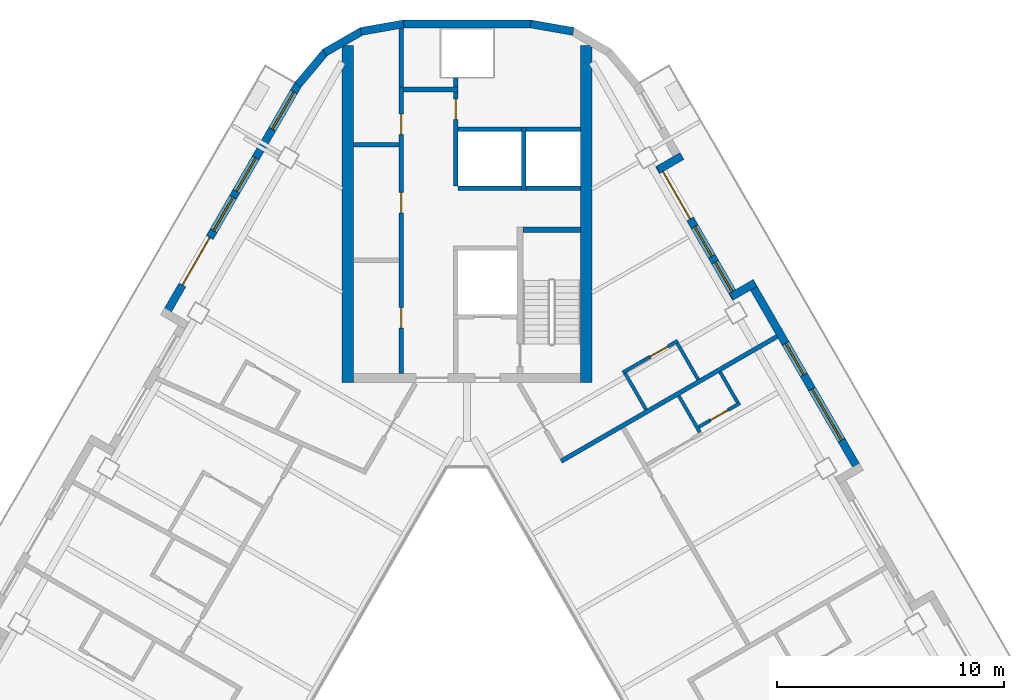
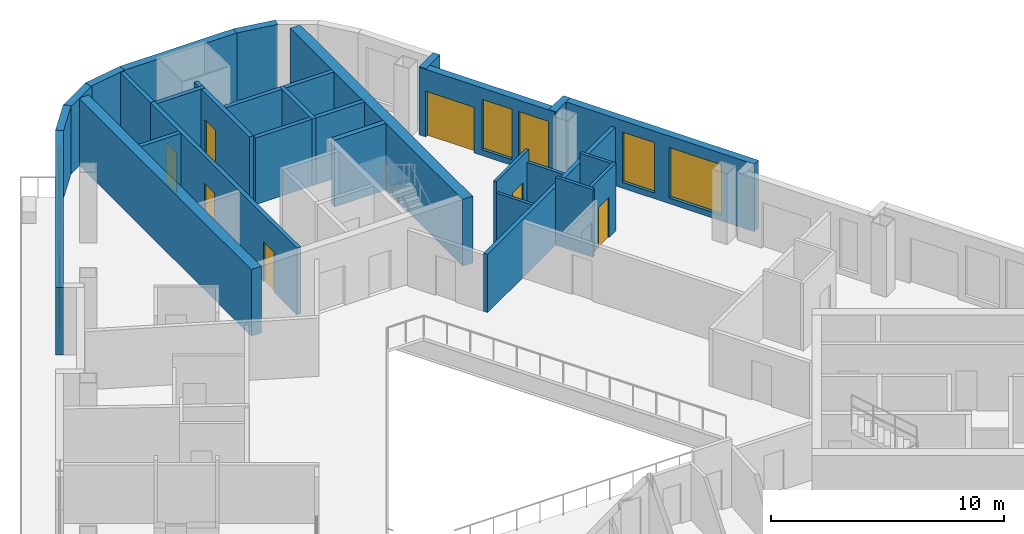
# One storey, part 7 of 14: 31 walls, 8 doors, 7 windows, 15 openings.
"""IFC4 building model written with IfcOpenShell, lengths in metres."""

from ifc_helpers import new_model, si_unit, direction, frame, frame_2d, origin, place, context, subcontext, project, spatial, rectangle, extrude, material, layer, layer_set, type_object, element, fill, save


model = new_model("IFC4")

# Units and contexts
model_context = context("Model", 3, precision=1e-05, world=origin(), true_north=direction((0.0, 1.0)))
body_context = subcontext(model_context, "Body", "Model", "MODEL_VIEW")
ifc_project = project(units=[si_unit("LENGTHUNIT", "METRE"), si_unit("AREAUNIT", "SQUARE_METRE"), si_unit("VOLUMEUNIT", "CUBIC_METRE"), si_unit("PLANEANGLEUNIT", "RADIAN"), si_unit("MASSUNIT", "GRAM", prefix="KILO")], contexts=[model_context])

# Site, building, storey
site_placement = place(None, origin())
site = spatial("IfcSite", under=ifc_project, at=site_placement, CompositionType="ELEMENT")
building_placement = place(site_placement, origin())
building = spatial("IfcBuilding", under=site, at=building_placement, Name="Apuvela Tower Hotel", CompositionType="ELEMENT")
storey_placement = place(building_placement, frame((0.0, 0.0, 216.89990234375)))
storey = spatial("IfcBuildingStorey", under=building, at=storey_placement, Name="L53", CompositionType="ELEMENT", Elevation=216.89990234375)

# Walls
ifc_material_1 = material(Name="Concrete C50/60", Category="concrete")
ifc_layer_1 = layer(ifc_material_1, 0.5)
ifc_layer_set_1 = layer_set([ifc_layer_1], Name="COR-WALL-CORE-500")
wall_type_1 = type_object("IfcWallType", Name="COR-WALL-CORE-500", PredefinedType="SHEAR", material=ifc_layer_set_1)
for number, where, z_axis, x_axis, name in (
    (1, (5.25, 12.89990234375, 0.0), (0.0, 0.0, 1.0), (0.0, 1.0, 0.0), "Core wall N"),
    (2, (-5.25, 12.89990234375, 0.0), (0.0, 0.0, 1.0), (0.0, 1.0, 0.0), "Core wall N"),
):
    element("IfcWall", number, at=place(storey_placement, frame(where, z_axis=z_axis, x_axis=x_axis)), inside=storey, type_object=wall_type_1, Name=name, PredefinedType="SHEAR", context=body_context, shape_type="SweptSolid", body=[
        extrude(rectangle(XDim=14.8369140625, YDim=0.5, at=frame_2d((7.41845703125, 0.0))), origin(), (0.0, 0.0, 1.0), 3.5),
    ])
ifc_material_2 = material(Name="Blockwork 200 mm plastered", Category="masonry")
ifc_layer_2 = layer(ifc_material_2, 0.199951171875)
ifc_layer_set_2 = layer_set([ifc_layer_2], Name="COR-WALL-PART-200")
wall_type_2 = type_object("IfcWallType", Name="COR-WALL-PART-200", PredefinedType="PARTITIONING", material=ifc_layer_set_2)
wall_1_placement = place(storey_placement, frame((5.0, 21.449951171875, 0.0), z_axis=(0.0, 0.0, 1.0), x_axis=(-1.0, 0.0, 0.0)))
element("IfcWall", 3, at=wall_1_placement, inside=storey, type_object=wall_type_2, Name="Partition N", PredefinedType="PARTITIONING", context=body_context, shape_type="SweptSolid", body=[
    extrude(rectangle(XDim=2.39990234375, YDim=0.199951171875, at=frame_2d((1.199951171875, 0.0))), origin(), (0.0, 0.0, 1.0), 3.5),
])
wall_2_placement = place(storey_placement, frame((2.39990234375, 21.449951171875, 0.0), z_axis=(0.0, 0.0, 1.0), x_axis=(-1.0, 0.0, 0.0)))
element("IfcWall", 4, at=wall_2_placement, inside=storey, type_object=wall_type_2, Name="Partition N", PredefinedType="PARTITIONING", context=body_context, shape_type="SweptSolid", body=[
    extrude(rectangle(XDim=2.7998046875, YDim=0.199951171875, at=frame_2d((1.39990234375, 0.0))), origin(), (0.0, 0.0, 1.0), 3.5),
])

# Wall, openings, doors
ifc_layer_3 = layer(ifc_material_1, 0.199951171875)
ifc_layer_set_3 = layer_set([ifc_layer_3], Name="COR-WALL-SHAFT-200")
wall_type_3 = type_object("IfcWallType", Name="COR-WALL-SHAFT-200", PredefinedType="SHEAR", material=ifc_layer_set_3)
wall_3_placement = place(storey_placement, frame((-2.89990234375, 13.300048828125, 0.0), z_axis=(0.0, 0.0, 1.0), x_axis=(0.0, 1.0, 0.0)))
wall_3 = element("IfcWall", 5, at=wall_3_placement, inside=storey, type_object=wall_type_3, Name="Shaft wall N", PredefinedType="SHEAR", context=body_context, shape_type="SweptSolid", body=[
    extrude(rectangle(XDim=12.599853515625, YDim=0.199951171875, at=frame_2d((6.2998046875, 0.0))), origin(), (0.0, 0.0, 1.0), 3.5),
])
opening_1_placement = place(wall_3_placement, frame((1.989990234375, 0.0, 0.0)))
opening_1 = element("IfcOpeningElement", 6, at=opening_1_placement, cuts=wall_3, Name="Opening N-RE1", PredefinedType="OPENING", context=body_context, shape_type="SweptSolid", body=[
    extrude(rectangle(XDim=0.89990234375, YDim=2.10009765625, at=frame_2d((0.449951171875, 1.050048828125))), frame((0.0, 0.10986328125, 0.0), z_axis=(0.0, -1.0, 0.0), x_axis=(1.0, 0.0, 0.0)), (0.0, 0.0, 1.0), 0.219970703125),
])
opening_2_placement = place(wall_3_placement, frame((7.070068359375, 0.0, 0.0)))
opening_2 = element("IfcOpeningElement", 7, at=opening_2_placement, cuts=wall_3, Name="Opening N-RE3", PredefinedType="OPENING", context=body_context, shape_type="SweptSolid", body=[
    extrude(rectangle(XDim=0.89990234375, YDim=2.10009765625, at=frame_2d((0.449951171875, 1.050048828125))), frame((0.0, 0.10986328125, 0.0), z_axis=(0.0, -1.0, 0.0), x_axis=(1.0, 0.0, 0.0)), (0.0, 0.0, 1.0), 0.219970703125),
])
opening_3_placement = place(wall_3_placement, frame((10.510009765625, 0.0, 0.0)))
opening_3 = element("IfcOpeningElement", 8, at=opening_3_placement, cuts=wall_3, Name="Opening N-REP", PredefinedType="OPENING", context=body_context, shape_type="SweptSolid", body=[
    extrude(rectangle(XDim=0.89990234375, YDim=2.10009765625, at=frame_2d((0.449951171875, 1.050048828125))), frame((0.0, 0.10986328125, 0.0), z_axis=(0.0, -1.0, 0.0), x_axis=(1.0, 0.0, 0.0)), (0.0, 0.0, 1.0), 0.219970703125),
])
ifc_material_3 = material(Name="Steel fire door, powder coated", Category="steel")
door_type_1 = type_object("IfcDoorType", Name="COR-DR-900", OperationType="NOTDEFINED", PredefinedType="DOOR", material=ifc_material_3)
door_1_placement = place(opening_1_placement, origin())
door_1 = element("IfcDoor", 9, at=door_1_placement, inside=storey, type_object=door_type_1, Name="Store door N-RE1", OperationType="SINGLE_SWING_LEFT", OverallHeight=2.10009765625, OverallWidth=0.89990234375, PredefinedType="DOOR", context=body_context, shape_type="SweptSolid", body=[
    extrude(rectangle(XDim=0.89990234375, YDim=2.10009765625, at=frame_2d((0.449951171875, 1.050048828125))), frame((0.0, 0.02490234375, 0.0), z_axis=(0.0, -1.0, 0.0), x_axis=(1.0, 0.0, 0.0)), (0.0, 0.0, 1.0), 0.050048828125),
])
fill(opening_1, door_1)
door_2_placement = place(opening_2_placement, origin())
door_2 = element("IfcDoor", 10, at=door_2_placement, inside=storey, type_object=door_type_1, Name="Store door N-RE3", OperationType="SINGLE_SWING_LEFT", OverallHeight=2.10009765625, OverallWidth=0.89990234375, PredefinedType="DOOR", context=body_context, shape_type="SweptSolid", body=[
    extrude(rectangle(XDim=0.89990234375, YDim=2.10009765625, at=frame_2d((0.449951171875, 1.050048828125))), frame((0.0, 0.02490234375, 0.0), z_axis=(0.0, -1.0, 0.0), x_axis=(1.0, 0.0, 0.0)), (0.0, 0.0, 1.0), 0.050048828125),
])
fill(opening_2, door_2)
door_3_placement = place(opening_3_placement, origin())
door_3 = element("IfcDoor", 11, at=door_3_placement, inside=storey, type_object=door_type_1, Name="Store door N-REP", OperationType="SINGLE_SWING_RIGHT", OverallHeight=2.10009765625, OverallWidth=0.89990234375, PredefinedType="DOOR", context=body_context, shape_type="SweptSolid", body=[
    extrude(rectangle(XDim=0.89990234375, YDim=2.10009765625, at=frame_2d((0.449951171875, 1.050048828125))), frame((0.0, 0.02490234375, 0.0), z_axis=(0.0, -1.0, 0.0), x_axis=(1.0, 0.0, 0.0)), (0.0, 0.0, 1.0), 0.050048828125),
])
fill(opening_3, door_3)

# Wall
wall_4_placement = place(storey_placement, frame((-0.39990234375, 25.800048828125, 0.0), z_axis=(0.0, 0.0, 1.0), x_axis=(-1.0, 0.0, 0.0)))
element("IfcWall", 12, at=wall_4_placement, inside=storey, type_object=wall_type_3, Name="Shaft wall N", PredefinedType="SHEAR", context=body_context, shape_type="SweptSolid", body=[
    extrude(rectangle(XDim=2.400146484375, YDim=0.199951171875, at=frame_2d((1.2001953125, 0.0))), origin(), (0.0, 0.0, 1.0), 3.5),
])

# Wall, opening, door
wall_5_placement = place(storey_placement, frame((-0.5, 21.550048828125, 0.0), z_axis=(0.0, 0.0, 1.0), x_axis=(0.0, 1.0, 0.0)))
wall_5 = element("IfcWall", 13, at=wall_5_placement, inside=storey, type_object=wall_type_3, Name="Shaft wall N", PredefinedType="SHEAR", context=body_context, shape_type="SweptSolid", body=[
    extrude(rectangle(XDim=4.14990234375, YDim=0.199951171875, at=frame_2d((2.074951171875, 0.0))), origin(), (0.0, 0.0, 1.0), 3.5),
])
opening_4_placement = place(wall_5_placement, frame((2.925048828125, 0.0, 0.0)))
opening_4 = element("IfcOpeningElement", 14, at=opening_4_placement, cuts=wall_5, Name="Opening N-RSP", PredefinedType="OPENING", context=body_context, shape_type="SweptSolid", body=[
    extrude(rectangle(XDim=0.89990234375, YDim=2.10009765625, at=frame_2d((0.449951171875, 1.050048828125))), frame((0.0, 0.10986328125, 0.0), z_axis=(0.0, -1.0, 0.0), x_axis=(1.0, 0.0, 0.0)), (0.0, 0.0, 1.0), 0.219970703125),
])
door_4_placement = place(opening_4_placement, frame((0.89990234375, 0.0, 0.0), z_axis=(0.0, 0.0, 1.0), x_axis=(-1.0, 0.0, 0.0)))
door_4 = element("IfcDoor", 15, at=door_4_placement, inside=storey, type_object=door_type_1, Name="Store door N-RSP", OperationType="SINGLE_SWING_LEFT", OverallHeight=2.10009765625, OverallWidth=0.89990234375, PredefinedType="DOOR", context=body_context, shape_type="SweptSolid", body=[
    extrude(rectangle(XDim=0.89990234375, YDim=2.10009765625, at=frame_2d((0.449951171875, 1.050048828125))), frame((0.0, 0.02490234375, 0.0), z_axis=(0.0, -1.0, 0.0), x_axis=(1.0, 0.0, 0.0)), (0.0, 0.0, 1.0), 0.050048828125),
])
fill(opening_4, door_4)

# Walls
wall_6_placement = place(storey_placement, frame((-3.0, 23.360107421875, 0.0), z_axis=(0.0, 0.0, 1.0), x_axis=(-1.0, 0.0, 0.0)))
element("IfcWall", 16, at=wall_6_placement, inside=storey, type_object=wall_type_3, Name="Shaft wall N", PredefinedType="SHEAR", context=body_context, shape_type="SweptSolid", body=[
    extrude(rectangle(XDim=2.0, YDim=0.199951171875, at=frame_2d((1.0, 0.0))), origin(), (0.0, 0.0, 1.0), 3.5),
])
wall_7_placement = place(storey_placement, frame((-0.5, 25.89990234375, 0.0), z_axis=(0.0, 0.0, 1.0), x_axis=(0.0, 1.0, 0.0)))
element("IfcWall", 17, at=wall_7_placement, inside=storey, type_object=wall_type_3, Name="Shaft wall N", PredefinedType="SHEAR", context=body_context, shape_type="SweptSolid", body=[
    extrude(rectangle(XDim=0.400146484375, YDim=0.199951171875, at=frame_2d((0.2001953125, 0.0))), origin(), (0.0, 0.0, 1.0), 3.5),
])
wall_8_placement = place(storey_placement, frame((-2.89990234375, 25.89990234375, 0.0), z_axis=(0.0, 0.0, 1.0), x_axis=(0.0, 1.0, 0.0)))
element("IfcWall", 18, at=wall_8_placement, inside=storey, type_object=wall_type_3, Name="Shaft wall N", PredefinedType="SHEAR", context=body_context, shape_type="SweptSolid", body=[
    extrude(rectangle(XDim=2.60009765625, YDim=0.199951171875, at=frame_2d((1.300048828125, 0.0))), origin(), (0.0, 0.0, 1.0), 3.5),
])
wall_9_placement = place(storey_placement, frame((2.5, 21.35009765625, 0.0), z_axis=(0.0, 0.0, 1.0), x_axis=(0.0, 1.0, 0.0)))
element("IfcWall", 19, at=wall_9_placement, inside=storey, type_object=wall_type_3, Name="Shaft wall N", PredefinedType="SHEAR", context=body_context, shape_type="SweptSolid", body=[
    extrude(rectangle(XDim=2.7998046875, YDim=0.199951171875, at=frame_2d((1.39990234375, 0.0))), origin(), (0.0, 0.0, 1.0), 3.5),
])
wall_10_placement = place(storey_placement, frame((5.0, 24.050048828125, 0.0), z_axis=(0.0, 0.0, 1.0), x_axis=(-1.0, 0.0, 0.0)))
element("IfcWall", 20, at=wall_10_placement, inside=storey, type_object=wall_type_3, Name="Shaft wall N", PredefinedType="SHEAR", context=body_context, shape_type="SweptSolid", body=[
    extrude(rectangle(XDim=2.39990234375, YDim=0.199951171875, at=frame_2d((1.199951171875, 0.0))), origin(), (0.0, 0.0, 1.0), 3.5),
])
wall_11_placement = place(storey_placement, frame((2.39990234375, 24.050048828125, 0.0), z_axis=(0.0, 0.0, 1.0), x_axis=(-1.0, 0.0, 0.0)))
element("IfcWall", 21, at=wall_11_placement, inside=storey, type_object=wall_type_3, Name="Shaft wall N", PredefinedType="SHEAR", context=body_context, shape_type="SweptSolid", body=[
    extrude(rectangle(XDim=2.7998046875, YDim=0.199951171875, at=frame_2d((1.39990234375, 0.0))), origin(), (0.0, 0.0, 1.0), 3.5),
])
ifc_layer_4 = layer(ifc_material_1, 0.25)
ifc_layer_set_4 = layer_set([ifc_layer_4], Name="COR-WALL-STAIR-250")
wall_type_4 = type_object("IfcWallType", Name="COR-WALL-STAIR-250", PredefinedType="SHEAR", material=ifc_layer_set_4)
wall_12_placement = place(storey_placement, frame((5.0, 19.625, 0.0), z_axis=(0.0, 0.0, 1.0), x_axis=(-1.0, 0.0, 0.0)))
element("IfcWall", 22, at=wall_12_placement, inside=storey, type_object=wall_type_4, Name="Stair wall N", PredefinedType="SHEAR", context=body_context, shape_type="SweptSolid", body=[
    extrude(rectangle(XDim=2.550048828125, YDim=0.25, at=frame_2d((1.27490234375, 0.0))), origin(), (0.0, 0.0, 1.0), 3.5),
])

# Wall, openings, door, windows
ifc_material_4 = material(Name="Concrete C40/50, dark pigmented precast panel", Category="concrete")
ifc_layer_5 = layer(ifc_material_4, 0.35009765625)
ifc_layer_set_5 = layer_set([ifc_layer_5], Name="ENV-WALL-350")
wall_type_5 = type_object("IfcWallType", Name="ENV-WALL-350", PredefinedType="SOLIDWALL", material=ifc_layer_set_5)
wall_13_placement = place(storey_placement, frame((-7.440673828125, 26.0224609375, 0.0), z_axis=(0.0, 0.0, 1.0), x_axis=(-0.499992533062, -0.86602971478, 0.0)))
wall_13 = element("IfcWall", 23, at=wall_13_placement, inside=storey, type_object=wall_type_5, Name="External wall L53-01", PredefinedType="SOLIDWALL", context=body_context, shape_type="SweptSolid", body=[
    extrude(rectangle(XDim=11.815673828125, YDim=0.35009765625, at=frame_2d((5.90771484375, 0.0))), origin(), (0.0, 0.0, 1.0), 3.550048828125),
])
opening_5_placement = place(wall_13_placement, frame((0.381103515625, 0.0, 0.300048828125)))
opening_5 = element("IfcOpeningElement", 24, at=opening_5_placement, cuts=wall_13, Name="Opening WN19", PredefinedType="OPENING", context=body_context, shape_type="SweptSolid", body=[
    extrude(rectangle(XDim=1.89990234375, YDim=2.64990234375, at=frame_2d((0.949951171875, 1.324951171875))), frame((0.0, 0.18505859375, 0.0), z_axis=(0.0, -1.0, 0.0), x_axis=(1.0, 0.0, 0.0)), (0.0, 0.0, 1.0), 0.3701171875),
])
opening_6_placement = place(wall_13_placement, frame((7.79052734375, 0.0, 0.0)))
opening_6 = element("IfcOpeningElement", 25, at=opening_6_placement, cuts=wall_13, Name="Opening BD24", PredefinedType="OPENING", context=body_context, shape_type="SweptSolid", body=[
    extrude(rectangle(XDim=2.39990234375, YDim=2.39990234375, at=frame_2d((1.199951171875, 1.199951171875))), frame((0.0, 0.18505859375, 0.0), z_axis=(0.0, -1.0, 0.0), x_axis=(1.0, 0.0, 0.0)), (0.0, 0.0, 1.0), 0.3701171875),
])
opening_7_placement = place(wall_13_placement, frame((3.7412109375, 0.0, 0.300048828125)))
opening_7 = element("IfcOpeningElement", 26, at=opening_7_placement, cuts=wall_13, Name="Opening WN17", PredefinedType="OPENING", context=body_context, shape_type="SweptSolid", body=[
    extrude(rectangle(XDim=1.699951171875, YDim=2.64990234375, at=frame_2d((0.85009765625, 1.324951171875))), frame((0.0, 0.18505859375, 0.0), z_axis=(0.0, -1.0, 0.0), x_axis=(1.0, 0.0, 0.0)), (0.0, 0.0, 1.0), 0.3701171875),
])
opening_8_placement = place(wall_13_placement, frame((5.7412109375, 0.0, 0.300048828125)))
opening_8 = element("IfcOpeningElement", 27, at=opening_8_placement, cuts=wall_13, Name="Opening WN17", PredefinedType="OPENING", context=body_context, shape_type="SweptSolid", body=[
    extrude(rectangle(XDim=1.699951171875, YDim=2.64990234375, at=frame_2d((0.85009765625, 1.324951171875))), frame((0.0, 0.18505859375, 0.0), z_axis=(0.0, -1.0, 0.0), x_axis=(1.0, 0.0, 0.0)), (0.0, 0.0, 1.0), 0.3701171875),
])
ifc_material_5 = material(Name="Aluminium 6063-T6, dark bronze anodised frame with dark tinted laminated glass", Category="aluminium")
door_type_2 = type_object("IfcDoorType", Name="ENV-DOOR-BALCONY-2400x2400", OperationType="SLIDING_TO_LEFT", PredefinedType="DOOR", material=ifc_material_5)
door_5_placement = place(opening_6_placement, frame((2.39990234375, 0.0, 0.0), z_axis=(0.0, 0.0, 1.0), x_axis=(-1.0, 0.0, 0.0)))
door_5 = element("IfcDoor", 28, at=door_5_placement, inside=storey, type_object=door_type_2, Name="Balcony door BD24", OperationType="SLIDING_TO_LEFT", OverallHeight=2.39990234375, OverallWidth=2.39990234375, PredefinedType="DOOR", context=body_context, shape_type="SweptSolid", body=[
    extrude(rectangle(XDim=2.39990234375, YDim=2.39990234375, at=frame_2d((1.199951171875, 1.199951171875))), frame((0.0, 0.02490234375, 0.0), z_axis=(0.0, -1.0, 0.0), x_axis=(1.0, 0.0, 0.0)), (0.0, 0.0, 1.0), 0.050048828125),
])
fill(opening_6, door_5)
ifc_material_6 = material(Name="Glass, dark tinted laminated insulated glazing unit", Category="glass")
window_type_1 = type_object("IfcWindowType", Name="ENV-WIN-1700x2650", PartitioningType="SINGLE_PANEL", PredefinedType="WINDOW", material=ifc_material_6)
window_1_placement = place(opening_7_placement, origin())
window_1 = element("IfcWindow", 29, at=window_1_placement, inside=storey, type_object=window_type_1, Name="Window WN17", OverallHeight=2.64990234375, OverallWidth=1.699951171875, PartitioningType="SINGLE_PANEL", PredefinedType="WINDOW", context=body_context, shape_type="SweptSolid", body=[
    extrude(rectangle(XDim=1.699951171875, YDim=2.64990234375, at=frame_2d((0.85009765625, 1.324951171875))), frame((0.0, 0.030029296875, 0.0), z_axis=(0.0, -1.0, 0.0), x_axis=(1.0, 0.0, 0.0)), (0.0, 0.0, 1.0), 0.06005859375),
])
fill(opening_7, window_1)
window_2_placement = place(opening_8_placement, origin())
window_2 = element("IfcWindow", 30, at=window_2_placement, inside=storey, type_object=window_type_1, Name="Window WN17", OverallHeight=2.64990234375, OverallWidth=1.699951171875, PartitioningType="SINGLE_PANEL", PredefinedType="WINDOW", context=body_context, shape_type="SweptSolid", body=[
    extrude(rectangle(XDim=1.699951171875, YDim=2.64990234375, at=frame_2d((0.85009765625, 1.324951171875))), frame((0.0, 0.030029296875, 0.0), z_axis=(0.0, -1.0, 0.0), x_axis=(1.0, 0.0, 0.0)), (0.0, 0.0, 1.0), 0.06005859375),
])
fill(opening_8, window_2)
window_type_2 = type_object("IfcWindowType", Name="ENV-WIN-1900x2650", PartitioningType="SINGLE_PANEL", PredefinedType="WINDOW", material=ifc_material_6)
window_3_placement = place(opening_5_placement, origin())
window_3 = element("IfcWindow", 31, at=window_3_placement, inside=storey, type_object=window_type_2, Name="Window WN19", OverallHeight=2.64990234375, OverallWidth=1.89990234375, PartitioningType="SINGLE_PANEL", PredefinedType="WINDOW", context=body_context, shape_type="SweptSolid", body=[
    extrude(rectangle(XDim=1.89990234375, YDim=2.64990234375, at=frame_2d((0.949951171875, 1.324951171875))), frame((0.0, 0.030029296875, 0.0), z_axis=(0.0, -1.0, 0.0), x_axis=(1.0, 0.0, 0.0)), (0.0, 0.0, 1.0), 0.06005859375),
])
fill(opening_5, window_3)

# Wall, openings, windows
wall_14_placement = place(storey_placement, frame((17.298583984375, 8.947998046875, 0.0), z_axis=(0.0, 0.0, 1.0), x_axis=(-0.500010041276, 0.866019606374, 0.0)))
wall_14 = element("IfcWall", 32, at=wall_14_placement, inside=storey, type_object=wall_type_5, Name="External wall L53-37", PredefinedType="SOLIDWALL", context=body_context, shape_type="SweptSolid", body=[
    extrude(rectangle(XDim=9.699951171875, YDim=0.35009765625, at=frame_2d((4.85009765625, 0.0))), origin(), (0.0, 0.0, 1.0), 3.550048828125),
])
opening_9_placement = place(wall_14_placement, frame((1.625, 0.0, 0.300048828125)))
opening_9 = element("IfcOpeningElement", 33, at=opening_9_placement, cuts=wall_14, Name="Opening WN26", PredefinedType="OPENING", context=body_context, shape_type="SweptSolid", body=[
    extrude(rectangle(XDim=2.60009765625, YDim=2.64990234375, at=frame_2d((1.300048828125, 1.324951171875))), frame((0.0, 0.18505859375, 0.0), z_axis=(0.0, -1.0, 0.0), x_axis=(1.0, 0.0, 0.0)), (0.0, 0.0, 1.0), 0.3701171875),
])
opening_10_placement = place(wall_14_placement, frame((4.94921875, 0.0, 0.300048828125)))
opening_10 = element("IfcOpeningElement", 34, at=opening_10_placement, cuts=wall_14, Name="Opening WN16", PredefinedType="OPENING", context=body_context, shape_type="SweptSolid", body=[
    extrude(rectangle(XDim=1.60009765625, YDim=2.64990234375, at=frame_2d((0.800048828125, 1.324951171875))), frame((0.0, 0.18505859375, 0.0), z_axis=(0.0, -1.0, 0.0), x_axis=(1.0, 0.0, 0.0)), (0.0, 0.0, 1.0), 0.3701171875),
])
window_type_3 = type_object("IfcWindowType", Name="ENV-WIN-1600x2650", PartitioningType="SINGLE_PANEL", PredefinedType="WINDOW", material=ifc_material_6)
window_4_placement = place(opening_10_placement, origin())
window_4 = element("IfcWindow", 35, at=window_4_placement, inside=storey, type_object=window_type_3, Name="Window WN16", OverallHeight=2.64990234375, OverallWidth=1.60009765625, PartitioningType="SINGLE_PANEL", PredefinedType="WINDOW", context=body_context, shape_type="SweptSolid", body=[
    extrude(rectangle(XDim=1.60009765625, YDim=2.64990234375, at=frame_2d((0.800048828125, 1.324951171875))), frame((0.0, 0.030029296875, 0.0), z_axis=(0.0, -1.0, 0.0), x_axis=(1.0, 0.0, 0.0)), (0.0, 0.0, 1.0), 0.06005859375),
])
fill(opening_10, window_4)
window_type_4 = type_object("IfcWindowType", Name="ENV-WIN-2600x2650", PartitioningType="SINGLE_PANEL", PredefinedType="WINDOW", material=ifc_material_6)
window_5_placement = place(opening_9_placement, origin())
window_5 = element("IfcWindow", 36, at=window_5_placement, inside=storey, type_object=window_type_4, Name="Window WN26", OverallHeight=2.64990234375, OverallWidth=2.60009765625, PartitioningType="SINGLE_PANEL", PredefinedType="WINDOW", context=body_context, shape_type="SweptSolid", body=[
    extrude(rectangle(XDim=2.60009765625, YDim=2.64990234375, at=frame_2d((1.300048828125, 1.324951171875))), frame((0.0, 0.030029296875, 0.0), z_axis=(0.0, -1.0, 0.0), x_axis=(1.0, 0.0, 0.0)), (0.0, 0.0, 1.0), 0.06005859375),
])
fill(opening_9, window_5)

# Wall
wall_15_placement = place(storey_placement, frame((12.6875, 17.284423828125, 0.0), z_axis=(0.0, 0.0, 1.0), x_axis=(-0.865955602162, -0.500120880472, 0.0)))
element("IfcWall", 37, at=wall_15_placement, inside=storey, type_object=wall_type_5, Name="External wall L53-38", PredefinedType="SOLIDWALL", context=body_context, shape_type="SweptSolid", body=[
    extrude(rectangle(XDim=1.219970703125, YDim=0.35009765625, at=frame_2d((0.60986328125, 0.0))), origin(), (0.0, 0.0, 1.0), 3.550048828125),
])

# Wall, openings, door, windows
wall_16_placement = place(storey_placement, frame((11.8291015625, 16.621337890625, 0.0), z_axis=(0.0, 0.0, 1.0), x_axis=(-0.500003597184, 0.866023326939, 0.0)))
wall_16 = element("IfcWall", 38, at=wall_16_placement, inside=storey, type_object=wall_type_5, Name="External wall L53-39", PredefinedType="SOLIDWALL", context=body_context, shape_type="SweptSolid", body=[
    extrude(rectangle(XDim=6.740234375, YDim=0.35009765625, at=frame_2d((3.3701171875, 0.0))), origin(), (0.0, 0.0, 1.0), 3.550048828125),
])
opening_11_placement = place(wall_16_placement, frame((4.01953125, 0.0, 0.0)))
opening_11 = element("IfcOpeningElement", 39, at=opening_11_placement, cuts=wall_16, Name="Opening BD24", PredefinedType="OPENING", context=body_context, shape_type="SweptSolid", body=[
    extrude(rectangle(XDim=2.39990234375, YDim=2.39990234375, at=frame_2d((1.199951171875, 1.199951171875))), frame((0.0, 0.18505859375, 0.0), z_axis=(0.0, -1.0, 0.0), x_axis=(1.0, 0.0, 0.0)), (0.0, 0.0, 1.0), 0.3701171875),
])
opening_12_placement = place(wall_16_placement, frame((0.320068359375, 0.0, 0.300048828125)))
opening_12 = element("IfcOpeningElement", 40, at=opening_12_placement, cuts=wall_16, Name="Opening WN15", PredefinedType="OPENING", context=body_context, shape_type="SweptSolid", body=[
    extrude(rectangle(XDim=1.5, YDim=2.64990234375, at=frame_2d((0.75, 1.324951171875))), frame((0.0, 0.18505859375, 0.0), z_axis=(0.0, -1.0, 0.0), x_axis=(1.0, 0.0, 0.0)), (0.0, 0.0, 1.0), 0.3701171875),
])
opening_13_placement = place(wall_16_placement, frame((2.1201171875, 0.0, 0.300048828125)))
opening_13 = element("IfcOpeningElement", 41, at=opening_13_placement, cuts=wall_16, Name="Opening WN15", PredefinedType="OPENING", context=body_context, shape_type="SweptSolid", body=[
    extrude(rectangle(XDim=1.5, YDim=2.64990234375, at=frame_2d((0.75, 1.324951171875))), frame((0.0, 0.18505859375, 0.0), z_axis=(0.0, -1.0, 0.0), x_axis=(1.0, 0.0, 0.0)), (0.0, 0.0, 1.0), 0.3701171875),
])
door_6_placement = place(opening_11_placement, frame((2.39990234375, 0.0, 0.0), z_axis=(0.0, 0.0, 1.0), x_axis=(-1.0, 0.0, 0.0)))
door_6 = element("IfcDoor", 42, at=door_6_placement, inside=storey, type_object=door_type_2, Name="Balcony door BD24", OperationType="SLIDING_TO_LEFT", OverallHeight=2.39990234375, OverallWidth=2.39990234375, PredefinedType="DOOR", context=body_context, shape_type="SweptSolid", body=[
    extrude(rectangle(XDim=2.39990234375, YDim=2.39990234375, at=frame_2d((1.199951171875, 1.199951171875))), frame((0.0, 0.02490234375, 0.0), z_axis=(0.0, -1.0, 0.0), x_axis=(1.0, 0.0, 0.0)), (0.0, 0.0, 1.0), 0.050048828125),
])
fill(opening_11, door_6)
window_type_5 = type_object("IfcWindowType", Name="ENV-WIN-1500x2650", PartitioningType="SINGLE_PANEL", PredefinedType="WINDOW", material=ifc_material_6)
window_6_placement = place(opening_12_placement, origin())
window_6 = element("IfcWindow", 43, at=window_6_placement, inside=storey, type_object=window_type_5, Name="Window WN15", OverallHeight=2.64990234375, OverallWidth=1.5, PartitioningType="SINGLE_PANEL", PredefinedType="WINDOW", context=body_context, shape_type="SweptSolid", body=[
    extrude(rectangle(XDim=1.5, YDim=2.64990234375, at=frame_2d((0.75, 1.324951171875))), frame((0.0, 0.030029296875, 0.0), z_axis=(0.0, -1.0, 0.0), x_axis=(1.0, 0.0, 0.0)), (0.0, 0.0, 1.0), 0.06005859375),
])
fill(opening_12, window_6)
window_7_placement = place(opening_13_placement, origin())
window_7 = element("IfcWindow", 44, at=window_7_placement, inside=storey, type_object=window_type_5, Name="Window WN15", OverallHeight=2.64990234375, OverallWidth=1.5, PartitioningType="SINGLE_PANEL", PredefinedType="WINDOW", context=body_context, shape_type="SweptSolid", body=[
    extrude(rectangle(XDim=1.5, YDim=2.64990234375, at=frame_2d((0.75, 1.324951171875))), frame((0.0, 0.030029296875, 0.0), z_axis=(0.0, -1.0, 0.0), x_axis=(1.0, 0.0, 0.0)), (0.0, 0.0, 1.0), 0.06005859375),
])
fill(opening_13, window_7)

# Walls
wall_17_placement = place(storey_placement, frame((8.406005859375, 22.26025390625, 0.0), z_axis=(0.0, 0.0, 1.0), x_axis=(0.865955602162, 0.500120880472, 0.0)))
element("IfcWall", 45, at=wall_17_placement, inside=storey, type_object=wall_type_5, Name="External wall L53-40", PredefinedType="SOLIDWALL", context=body_context, shape_type="SweptSolid", body=[
    extrude(rectangle(XDim=1.219970703125, YDim=0.35009765625, at=frame_2d((0.60986328125, 0.0))), origin(), (0.0, 0.0, 1.0), 3.550048828125),
])
wall_18_placement = place(storey_placement, frame((4.6796875, 28.35595703125, 0.0), z_axis=(0.0, 0.0, 1.0), x_axis=(-0.984798995425, 0.173697837091, 0.0)))
element("IfcWall", 46, at=wall_18_placement, inside=storey, type_object=wall_type_5, Name="External wall L53-44", PredefinedType="SOLIDWALL", context=body_context, shape_type="SweptSolid", body=[
    extrude(rectangle(XDim=1.91015625, YDim=0.35009765625, at=frame_2d((0.955078125, 0.0))), origin(), (0.0, 0.0, 1.0), 3.550048828125),
])
wall_19_placement = place(storey_placement, frame((2.8291015625, 28.68505859375, 0.0), z_axis=(0.0, 0.0, 1.0), x_axis=(-1.0, 0.0, 0.0)))
element("IfcWall", 47, at=wall_19_placement, inside=storey, type_object=wall_type_5, Name="External wall L53-45", PredefinedType="SOLIDWALL", context=body_context, shape_type="SweptSolid", body=[
    extrude(rectangle(XDim=5.658203125, YDim=0.35009765625, at=frame_2d((2.8291015625, 0.0))), origin(), (0.0, 0.0, 1.0), 3.550048828125),
])
for number, where, z_axis, x_axis, name in (
    (48, (-2.798583984375, 28.687744140625, 0.0), (0.0, 0.0, 1.0), (-0.984798995425, -0.173697837091, 0.0), "External wall L53-46"),
    (49, (-4.62255859375, 28.376708984375, 0.0), (0.0, 0.0, 1.0), (-0.866032345022, -0.499987977232, 0.0), "External wall L53-47"),
):
    element("IfcWall", number, at=place(storey_placement, frame(where, z_axis=z_axis, x_axis=x_axis)), inside=storey, type_object=wall_type_5, Name=name, PredefinedType="SOLIDWALL", context=body_context, shape_type="SweptSolid", body=[
        extrude(rectangle(XDim=1.91015625, YDim=0.35009765625, at=frame_2d((0.955078125, 0.0))), origin(), (0.0, 0.0, 1.0), 3.550048828125),
    ])
wall_20_placement = place(storey_placement, frame((-6.230224609375, 27.460693359375, 0.0), z_axis=(0.0, 0.0, 1.0), x_axis=(-0.642808304945, -0.766027077259, 0.0)))
element("IfcWall", 50, at=wall_20_placement, inside=storey, type_object=wall_type_5, Name="External wall L53-48", PredefinedType="SOLIDWALL", context=body_context, shape_type="SweptSolid", body=[
    extrude(rectangle(XDim=1.909912109375, YDim=0.35009765625, at=frame_2d((0.955078125, 0.0))), origin(), (0.0, 0.0, 1.0), 3.550048828125),
])
ifc_material_7 = material(Name="Gypsum board partition on twin steel stud", Category="steel")
ifc_layer_6 = layer(ifc_material_7, 0.199951171875)
ifc_layer_set_6 = layer_set([ifc_layer_6], Name="GST-PW1")
wall_type_6 = type_object("IfcWallType", Name="GST-PW1", PredefinedType="PARTITIONING", material=ifc_layer_set_6)
wall_21_placement = place(storey_placement, frame((13.64697265625, 14.9228515625, 0.0), z_axis=(0.0, 0.0, 1.0), x_axis=(-0.866027479907, -0.499996404033, 0.0)))
element("IfcWall", 51, at=wall_21_placement, inside=storey, type_object=wall_type_6, Name="L53 partition 06", PredefinedType="PARTITIONING", context=body_context, shape_type="SweptSolid", body=[
    extrude(rectangle(XDim=10.97998046875, YDim=0.199951171875, at=frame_2d((5.489990234375, 0.0))), origin(), (0.0, 0.0, 1.0), 3.06005859375),
])
ifc_material_8 = material(Name="Moisture-resistant gypsum board wet wall on steel stud", Category="steel")
ifc_layer_7 = layer(ifc_material_8, 0.14990234375)
ifc_layer_set_7 = layer_set([ifc_layer_7], Name="GST-PW3")
wall_type_7 = type_object("IfcWallType", Name="GST-PW3", PredefinedType="PARTITIONING", material=ifc_layer_set_7)
wall_22_placement = place(storey_placement, frame((10.244140625, 10.70654296875, 0.0), z_axis=(0.0, 0.0, 1.0), x_axis=(-0.500042316284, 0.866000971088, 0.0)))
element("IfcWall", 52, at=wall_22_placement, inside=storey, type_object=wall_type_7, Name="L53 partition 33", PredefinedType="PARTITIONING", context=body_context, shape_type="SweptSolid", body=[
    extrude(rectangle(XDim=1.849853515625, YDim=0.14990234375, at=frame_2d((0.9248046875, 0.0))), origin(), (0.0, 0.0, 1.0), 3.550048828125),
])

# Wall, opening, door
wall_23_placement = place(storey_placement, frame((10.19677734375, 10.93896484375, 0.0), z_axis=(0.0, 0.0, 1.0), x_axis=(0.866009402589, 0.500027713859, 0.0)))
wall_23 = element("IfcWall", 53, at=wall_23_placement, inside=storey, type_object=wall_type_7, Name="L53 partition 34", PredefinedType="PARTITIONING", context=body_context, shape_type="SweptSolid", body=[
    extrude(rectangle(XDim=2.10009765625, YDim=0.14990234375, at=frame_2d((1.050048828125, 0.0))), origin(), (0.0, 0.0, 1.0), 3.550048828125),
])
opening_14_placement = place(wall_23_placement, frame((0.599853515625, 0.0, 0.0)))
opening_14 = element("IfcOpeningElement", 54, at=opening_14_placement, cuts=wall_23, Name="Opening GD21-14", PredefinedType="OPENING", context=body_context, shape_type="SweptSolid", body=[
    extrude(rectangle(XDim=0.89990234375, YDim=2.10009765625, at=frame_2d((0.449951171875, 1.050048828125))), frame((0.0, 0.0849609375, 0.0), z_axis=(0.0, -1.0, 0.0), x_axis=(1.0, 0.0, 0.0)), (0.0, 0.0, 1.0), 0.169921875),
])
ifc_material_9 = material(Name="Timber door leaf in steel frame", Category="steel")
door_type_3 = type_object("IfcDoorType", Name="GST-D2", OperationType="NOTDEFINED", PredefinedType="DOOR", material=ifc_material_9)
door_7_placement = place(opening_14_placement, origin())
door_7 = element("IfcDoor", 55, at=door_7_placement, inside=storey, type_object=door_type_3, Name="Door L53-14", OperationType="SINGLE_SWING_RIGHT", OverallHeight=2.10009765625, OverallWidth=0.89990234375, PredefinedType="DOOR", context=body_context, shape_type="SweptSolid", body=[
    extrude(rectangle(XDim=0.89990234375, YDim=2.10009765625, at=frame_2d((0.449951171875, 1.050048828125))), frame((0.0, 0.02490234375, 0.0), z_axis=(0.0, -1.0, 0.0), x_axis=(1.0, 0.0, 0.0)), (0.0, 0.0, 1.0), 0.050048828125),
])
fill(opening_14, door_7)

# Wall
wall_24_placement = place(storey_placement, frame((11.912841796875, 12.016357421875, 0.0), z_axis=(0.0, 0.0, 1.0), x_axis=(-0.499967891604, 0.866043940782, 0.0)))
element("IfcWall", 56, at=wall_24_placement, inside=storey, type_object=wall_type_7, Name="L53 partition 35", PredefinedType="PARTITIONING", context=body_context, shape_type="SweptSolid", body=[
    extrude(rectangle(XDim=1.5498046875, YDim=0.14990234375, at=frame_2d((0.77490234375, 0.0))), origin(), (0.0, 0.0, 1.0), 3.550048828125),
])

# Wall, opening, door
wall_25_placement = place(storey_placement, frame((9.2744140625, 14.736572265625, 0.0), z_axis=(0.0, 0.0, 1.0), x_axis=(-0.866018616679, -0.500011755427, 0.0)))
wall_25 = element("IfcWall", 57, at=wall_25_placement, inside=storey, type_object=wall_type_7, Name="L53 partition 37", PredefinedType="PARTITIONING", context=body_context, shape_type="SweptSolid", body=[
    extrude(rectangle(XDim=2.80029296875, YDim=0.14990234375, at=frame_2d((1.400146484375, 0.0))), origin(), (0.0, 0.0, 1.0), 3.550048828125),
])
opening_15_placement = place(wall_25_placement, frame((0.5, 0.0, 0.0)))
opening_15 = element("IfcOpeningElement", 58, at=opening_15_placement, cuts=wall_25, Name="Opening GD21-16", PredefinedType="OPENING", context=body_context, shape_type="SweptSolid", body=[
    extrude(rectangle(XDim=0.89990234375, YDim=2.10009765625, at=frame_2d((0.449951171875, 1.050048828125))), frame((0.0, 0.0849609375, 0.0), z_axis=(0.0, -1.0, 0.0), x_axis=(1.0, 0.0, 0.0)), (0.0, 0.0, 1.0), 0.169921875),
])
door_8_placement = place(opening_15_placement, origin())
door_8 = element("IfcDoor", 59, at=door_8_placement, inside=storey, type_object=door_type_3, Name="Door L53-16", OperationType="SINGLE_SWING_LEFT", OverallHeight=2.10009765625, OverallWidth=0.89990234375, PredefinedType="DOOR", context=body_context, shape_type="SweptSolid", body=[
    extrude(rectangle(XDim=0.89990234375, YDim=2.10009765625, at=frame_2d((0.449951171875, 1.050048828125))), frame((0.0, 0.02490234375, 0.0), z_axis=(0.0, -1.0, 0.0), x_axis=(1.0, 0.0, 0.0)), (0.0, 0.0, 1.0), 0.050048828125),
])
fill(opening_15, door_8)

# Walls
wall_26_placement = place(storey_placement, frame((10.171875, 13.031982421875, 0.0), z_axis=(0.0, 0.0, 1.0), x_axis=(-0.500042316284, 0.866000971088, 0.0)))
element("IfcWall", 60, at=wall_26_placement, inside=storey, type_object=wall_type_7, Name="L53 partition 38", PredefinedType="PARTITIONING", context=body_context, shape_type="SweptSolid", body=[
    extrude(rectangle(XDim=1.849853515625, YDim=0.14990234375, at=frame_2d((0.9248046875, 0.0))), origin(), (0.0, 0.0, 1.0), 2.9501953125),
])
wall_27_placement = place(storey_placement, frame((7.876953125, 11.706787109375, 0.0), z_axis=(0.0, 0.0, 1.0), x_axis=(-0.499985172903, 0.866033964044, 0.0)))
element("IfcWall", 61, at=wall_27_placement, inside=storey, type_object=wall_type_7, Name="L53 partition 39", PredefinedType="PARTITIONING", context=body_context, shape_type="SweptSolid", body=[
    extrude(rectangle(XDim=1.85009765625, YDim=0.14990234375, at=frame_2d((0.925048828125, 0.0))), origin(), (0.0, 0.0, 1.0), 2.9501953125),
])

save(model, "model.ifc")
